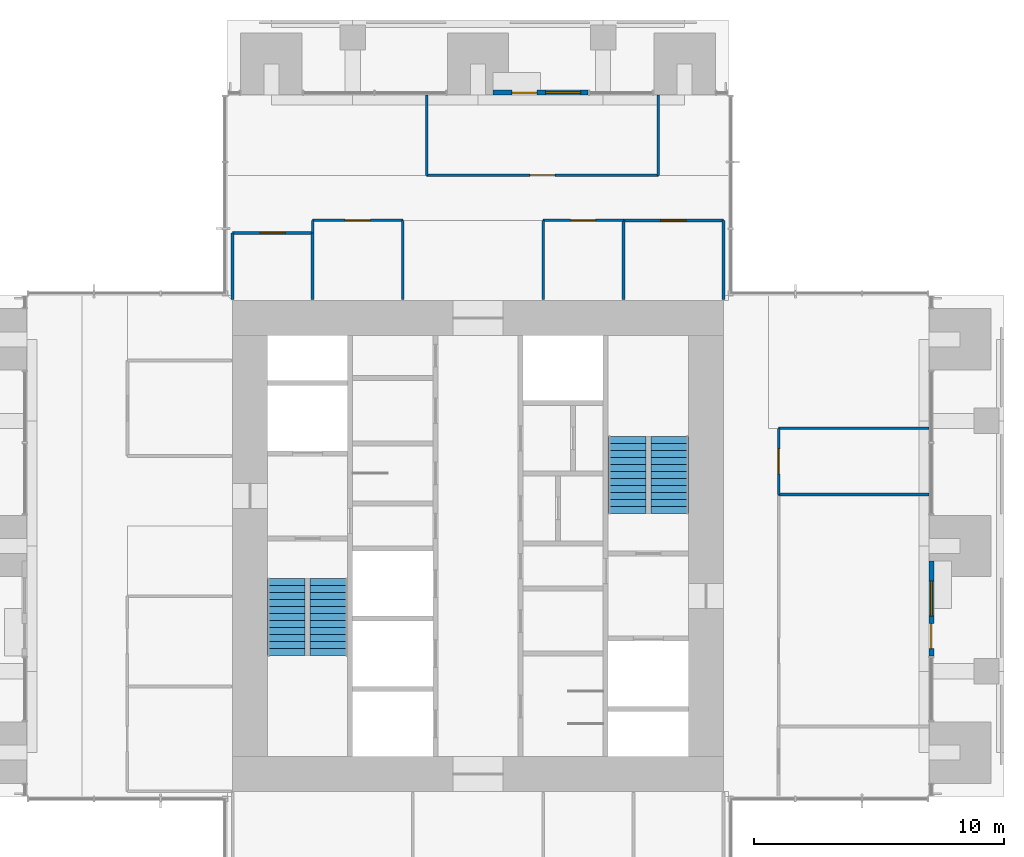
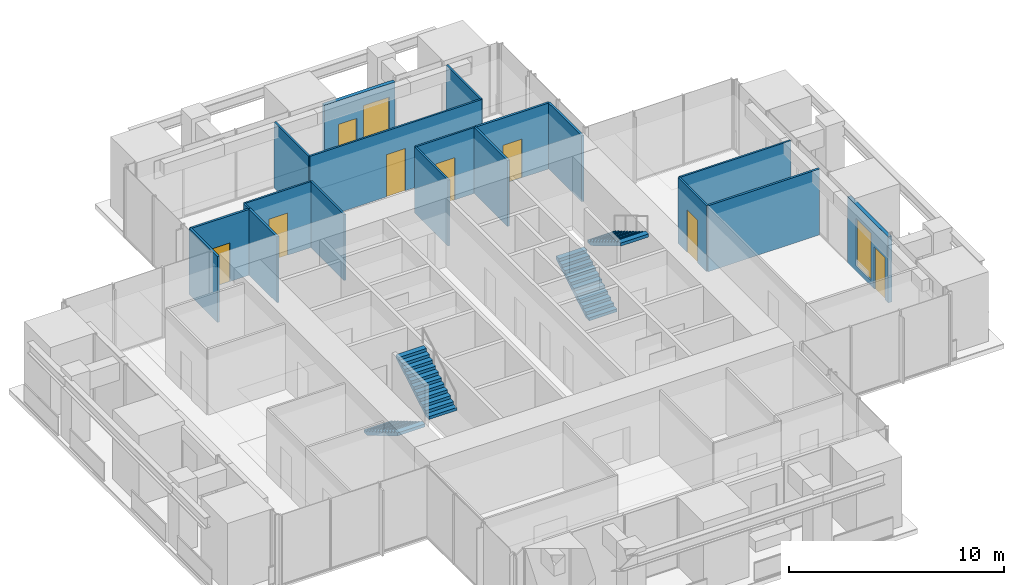
# One storey, part 14 of 17: 19 walls, 8 doors, 4 stair flights, 2 windows, 10 openings, 2 elements without a shape of their own.
"""IFC4 building model written with IfcOpenShell, lengths in metres."""

import ifcopenshell
import ifcopenshell.guid

model = None  # the IFC model being written
_history = None  # IfcOwnerHistory: only IFC2X3 demands one
_inside = {}  # id of a spatial element -> (the spatial element, [elements in it])
_under = {}  # id of a project, library or spatial element -> (it, [spatial elements below it])
_declared = {}  # id of a project -> (the project, [libraries it declares])
_typed = {}  # id of a type object -> (the type object, [elements of that type])
_made_of = {}  # id of a material, layer set ... -> (it, [elements and type objects made of it])


def new_model(schema):
    """Start an empty IFC model of exactly this schema.

    Asked for "IFC4X3", IfcOpenShell would pick the latest addendum, in which some entities
    have other attributes; the version numbers below select the first issue.
    IFC2X3 requires an IfcOwnerHistory on every rooted entity: one is made here for all.
    """
    global model, _history
    if schema == "IFC4X3":
        model = ifcopenshell.file(schema_version=(4, 3, 0, 0))
    else:
        model = ifcopenshell.file(schema=schema)
    _inside.clear()
    _under.clear()
    _declared.clear()
    _typed.clear()
    _made_of.clear()
    _history = None
    if model.schema == "IFC2X3":
        org = make("IfcOrganization", Name="unknown")
        user = make(
            "IfcPersonAndOrganization",
            ThePerson=make("IfcPerson", FamilyName="unknown"),
            TheOrganization=org,
        )
        app = make(
            "IfcApplication",
            ApplicationDeveloper=org,
            Version="unknown",
            ApplicationFullName="unknown",
            ApplicationIdentifier="unknown",
        )
        _history = make(
            "IfcOwnerHistory",
            OwningUser=user,
            OwningApplication=app,
            ChangeAction="ADDED",
            CreationDate=0,
        )
    return model


def make(cls, **values):
    """One entity of the class cls with the attributes given. An attribute that is None is left unset."""
    return model.create_entity(
        cls, **{name: value for name, value in values.items() if value is not None}
    )


def rooted(cls, **values):
    """An entity with a GlobalId (a new one), such as an element, a storey or a relation."""
    return make(cls, GlobalId=ifcopenshell.guid.new(), OwnerHistory=_history, **values)


def si_unit(unit_type, name, prefix=None):
    """IfcSIUnit, for example si_unit("LENGTHUNIT", "METRE", prefix="MILLI")."""
    return make("IfcSIUnit", UnitType=unit_type, Prefix=prefix, Name=name)


def assignment(units):
    """IfcUnitAssignment: the units of a project."""
    return None if units is None else make("IfcUnitAssignment", Units=units)


def point(xyz):
    """IfcCartesianPoint."""
    return None if xyz is None else make("IfcCartesianPoint", Coordinates=xyz)


def direction(xyz):
    """IfcDirection."""
    return None if xyz is None else make("IfcDirection", DirectionRatios=xyz)


def frame(location, z_axis=None, x_axis=None):
    """IfcAxis2Placement3D, a coordinate frame: its origin and axes. An axis left out is left unset."""
    return make(
        "IfcAxis2Placement3D",
        Location=point(location),
        Axis=direction(z_axis),
        RefDirection=direction(x_axis),
    )


def frame_2d(location, x_axis=None):
    """IfcAxis2Placement2D, a coordinate frame in the plane: its origin and x axis."""
    return make(
        "IfcAxis2Placement2D", Location=point(location), RefDirection=direction(x_axis)
    )


def origin():
    """The frame at (0, 0, 0) with its axes left unset."""
    return frame((0.0, 0.0, 0.0))


def place(relative_to, where):
    """IfcLocalPlacement: puts the frame where relative to a parent placement (None: the world)."""
    return make(
        "IfcLocalPlacement", PlacementRelTo=relative_to, RelativePlacement=where
    )


def context(
    kind, dimensions, precision=None, world=None, true_north=None, identifier=None
):
    """IfcGeometricRepresentationContext, for example the 3D "Model" context."""
    return make(
        "IfcGeometricRepresentationContext",
        ContextIdentifier=identifier,
        ContextType=kind,
        CoordinateSpaceDimension=dimensions,
        Precision=precision,
        WorldCoordinateSystem=world,
        TrueNorth=true_north,
    )


def subcontext(parent, identifier, kind, view, scale=None):
    """IfcGeometricRepresentationSubContext, for example "Body" below "Model"."""
    return make(
        "IfcGeometricRepresentationSubContext",
        ContextIdentifier=identifier,
        ContextType=kind,
        ParentContext=parent,
        TargetScale=scale,
        TargetView=view,
    )


def project(units=None, contexts=None):
    """IfcProject with its units and contexts."""
    return rooted(
        "IfcProject",
        Name="project",
        RepresentationContexts=contexts,
        UnitsInContext=assignment(units),
    )


def spatial(cls, under=None, at=None, **own):
    """A site, building, storey or space (cls), placed at a placement, below another one or the project."""
    s = rooted(cls, ObjectPlacement=at, **own)
    if under is not None:
        _under.setdefault(under.id(), (under, []))[1].append(s)
    return s


def polyline(points):
    """IfcPolyline through the points."""
    return make("IfcPolyline", Points=[point(p) for p in points])


def profile(cls, at=None, kind="AREA", **sizes):
    """A parametric profile (cls). Its sizes go by their IFC names, for example OverallWidth=200.0."""
    return make(cls, ProfileType=kind, Position=at, **sizes)


def rectangle(**sizes):
    """IfcRectangleProfileDef."""
    return profile("IfcRectangleProfileDef", **sizes)


def outline(outer, holes=None, kind="AREA"):
    """IfcArbitraryClosedProfileDef: a profile drawn as a closed curve; with holes, ...WithVoids."""
    if holes is None:
        return make("IfcArbitraryClosedProfileDef", ProfileType=kind, OuterCurve=outer)
    return make(
        "IfcArbitraryProfileDefWithVoids",
        ProfileType=kind,
        OuterCurve=outer,
        InnerCurves=holes,
    )


def extrude(swept, where, along, depth):
    """IfcExtrudedAreaSolid: the profile swept, set in the frame where, extruded along a direction by depth."""
    return make(
        "IfcExtrudedAreaSolid",
        SweptArea=swept,
        Position=where,
        ExtrudedDirection=direction(along),
        Depth=depth,
    )


def shape(context_of_items, identifier, shape_type, items):
    """IfcShapeRepresentation: the items that make up one representation, for example the "Body"."""
    return make(
        "IfcShapeRepresentation",
        ContextOfItems=context_of_items,
        RepresentationIdentifier=identifier,
        RepresentationType=shape_type,
        Items=items,
    )


def material(Name=None, Category=None):
    """IfcMaterial."""
    return make("IfcMaterial", Name=Name, Category=Category)


def layer(
    of_material, thickness, ventilated=None, Name=None, Category=None, Priority=None
):
    """IfcMaterialLayer: one layer of a wall or slab, of a material (None: an air gap)."""
    return make(
        "IfcMaterialLayer",
        Material=of_material,
        LayerThickness=thickness,
        IsVentilated=ventilated,
        Name=Name,
        Category=Category,
        Priority=Priority,
    )


def layer_set(layers, Name=None):
    """IfcMaterialLayerSet."""
    return make("IfcMaterialLayerSet", MaterialLayers=layers, LayerSetName=Name)


def made_of(thing, what):
    """Note that an element or type object is made of a material, layer set ...; save() writes the relation."""
    if what is not None:
        _made_of.setdefault(what.id(), (what, []))[1].append(thing)
    return thing


def type_object(cls, material=None, **own):
    """A type object (cls), such as IfcWallType, which elements share."""
    return made_of(rooted(cls, **own), material)


def element(
    cls,
    number,
    at=None,
    inside=None,
    cuts=None,
    type_object=None,
    material=None,
    context=None,
    identifier="Body",
    shape_type=None,
    held_by="IfcProductDefinitionShape",
    body=None,
    shapes=None,
    **own,
):
    """One element of the class cls, such as IfcWall. Its Tag is "e" and its number.

    at: its placement. inside: the storey or other place that contains it. cuts: it is an
    opening in that element (IfcRelVoidsElement). A single representation is given by context,
    identifier, shape_type and body (its items); several are given by shapes. held_by: the class
    of the entity that holds the representations. save() writes the other relations.
    """
    e = rooted(cls, Tag="e%d" % number, ObjectPlacement=at, **own)
    if body is not None:
        shapes = [shape(context, identifier, shape_type, body)]
    if shapes is not None:
        e.Representation = make(held_by, Representations=shapes)
    if inside is not None:
        _inside.setdefault(inside.id(), (inside, []))[1].append(e)
    if cuts is not None:
        rooted(
            "IfcRelVoidsElement", RelatingBuildingElement=cuts, RelatedOpeningElement=e
        )
    if type_object is not None:
        _typed.setdefault(type_object.id(), (type_object, []))[1].append(e)
    return made_of(e, material)


def fill(opening, filler):
    """IfcRelFillsElement: the door or window that sits in an opening."""
    return rooted(
        "IfcRelFillsElement",
        RelatingOpeningElement=opening,
        RelatedBuildingElement=filler,
    )


def aggregate(whole, parts):
    """IfcRelAggregates: a whole, such as a stair, and the parts it consists of."""
    return rooted("IfcRelAggregates", RelatingObject=whole, RelatedObjects=parts)


def save(model, path):
    """Write the relations noted so far, then the file.

    IfcRelAggregates (storeys below a building ...), IfcRelContainedInSpatialStructure (elements
    in a storey), IfcRelDefinesByType, IfcRelAssociatesMaterial and IfcRelDeclares: one each for
    every whole, place, type object, material and project.
    """
    for whole, parts in _under.values():
        aggregate(whole, parts)
    for where, things in _inside.values():
        rooted(
            "IfcRelContainedInSpatialStructure",
            RelatedElements=things,
            RelatingStructure=where,
        )
    for kind, things in _typed.values():
        rooted("IfcRelDefinesByType", RelatedObjects=things, RelatingType=kind)
    for what, things in _made_of.values():
        rooted("IfcRelAssociatesMaterial", RelatedObjects=things, RelatingMaterial=what)
    for by, libraries in _declared.values():
        rooted("IfcRelDeclares", RelatingContext=by, RelatedDefinitions=libraries)
    model.write(path)


model = new_model("IFC4")

# Units and contexts
model_context = context("Model", 3, precision=1e-05, world=origin(), true_north=direction((0.0, 1.0)))
body_context = subcontext(model_context, "Body", "Model", "MODEL_VIEW")
ifc_project = project(units=[si_unit("LENGTHUNIT", "METRE"), si_unit("AREAUNIT", "SQUARE_METRE"), si_unit("VOLUMEUNIT", "CUBIC_METRE"), si_unit("PLANEANGLEUNIT", "RADIAN"), si_unit("MASSUNIT", "GRAM", prefix="KILO")], contexts=[model_context])

# Site, building, storey
site_placement = place(None, origin())
site = spatial("IfcSite", under=ifc_project, at=site_placement, CompositionType="ELEMENT")
building_placement = place(site_placement, origin())
building = spatial("IfcBuilding", under=site, at=building_placement, Name="Svetlomir Tower", CompositionType="ELEMENT")
storey_placement = place(building_placement, frame((0.0, 0.0, 178.5)))
storey = spatial("IfcBuildingStorey", under=building, at=storey_placement, Name="L42", CompositionType="ELEMENT", Elevation=178.5)

# Wall, openings, door, window
ifc_material_1 = material(Name="Bronze anodised aluminium glazed screen", Category="aluminium")
ifc_layer_1 = layer(ifc_material_1, 0.199951171875)
ifc_layer_set_1 = layer_set([ifc_layer_1], Name="Bronze anodised aluminium glazed screen")
wall_type_1 = type_object("IfcWallType", Name="BALCONY SCREEN WALL 200", PredefinedType="USERDEFINED", material=ifc_layer_set_1)
wall_1_placement = place(storey_placement, frame((39.10009765625, 16.60009765625, 0.0), z_axis=(0.0, 0.0, 1.0), x_axis=(0.0, 1.0, 0.0)))
wall_1 = element("IfcWall", 1, at=wall_1_placement, inside=storey, type_object=wall_type_1, Name="Balcony screen E", ObjectType="GLAZED SCREEN", PredefinedType="USERDEFINED", context=body_context, shape_type="SweptSolid", body=[
    extrude(rectangle(XDim=3.7998046875, YDim=0.199951171875, at=frame_2d((1.89990234375, 0.0))), origin(), (0.0, 0.0, 1.0), 3.75),
])
opening_1_placement = place(wall_1_placement, frame((0.300048828125, 0.0, 0.0)))
opening_1 = element("IfcOpeningElement", 2, at=opening_1_placement, cuts=wall_1, Name="Opening BD", PredefinedType="OPENING", context=body_context, shape_type="SweptSolid", body=[
    extrude(rectangle(XDim=1.0, YDim=2.39990234375, at=frame_2d((0.5, 1.199951171875))), frame((0.0, 0.10986328125, 0.0), z_axis=(0.0, -1.0, 0.0), x_axis=(1.0, 0.0, 0.0)), (0.0, 0.0, 1.0), 0.219970703125),
])
opening_2_placement = place(wall_1_placement, frame((1.60009765625, 0.0, 0.300048828125)))
opening_2 = element("IfcOpeningElement", 3, at=opening_2_placement, cuts=wall_1, Name="Opening WS2", PredefinedType="OPENING", context=body_context, shape_type="SweptSolid", body=[
    extrude(rectangle(XDim=1.39990234375, YDim=2.699951171875, at=frame_2d((0.699951171875, 1.35009765625))), frame((0.0, 0.10986328125, 0.0), z_axis=(0.0, -1.0, 0.0), x_axis=(1.0, 0.0, 0.0)), (0.0, 0.0, 1.0), 0.219970703125),
])
ifc_material_2 = material(Name="Bronze anodised aluminium glazed door", Category="aluminium")
door_type_1 = type_object("IfcDoorType", Name="BALCONY DOOR BD 1000x2400", OperationType="SINGLE_SWING_LEFT", PredefinedType="DOOR", material=ifc_material_2)
door_1_placement = place(opening_1_placement, origin())
door_1 = element("IfcDoor", 4, at=door_1_placement, inside=storey, type_object=door_type_1, Name="Balcony screen E door", OperationType="SINGLE_SWING_LEFT", OverallHeight=2.39990234375, OverallWidth=1.0, PredefinedType="DOOR", context=body_context, shape_type="SweptSolid", body=[
    extrude(rectangle(XDim=1.0, YDim=2.39990234375, at=frame_2d((0.5, 1.199951171875))), frame((0.0, 0.02490234375, 0.0), z_axis=(0.0, -1.0, 0.0), x_axis=(1.0, 0.0, 0.0)), (0.0, 0.0, 1.0), 0.050048828125),
])
fill(opening_1, door_1)
ifc_material_3 = material(Name="Bronze anodised aluminium window", Category="aluminium")
window_type = type_object("IfcWindowType", Name="SCREEN WINDOW WS2 1400x2700", PartitioningType="SINGLE_PANEL", PredefinedType="WINDOW", material=ifc_material_3)
window_1_placement = place(opening_2_placement, origin())
window_1 = element("IfcWindow", 5, at=window_1_placement, inside=storey, type_object=window_type, Name="Balcony screen E window 1", OverallHeight=2.699951171875, OverallWidth=1.39990234375, PartitioningType="SINGLE_PANEL", PredefinedType="WINDOW", context=body_context, shape_type="SweptSolid", body=[
    extrude(rectangle(XDim=1.39990234375, YDim=2.699951171875, at=frame_2d((0.699951171875, 1.35009765625))), frame((0.0, 0.030029296875, 0.0), z_axis=(0.0, -1.0, 0.0), x_axis=(1.0, 0.0, 0.0)), (0.0, 0.0, 1.0), 0.06005859375),
])
fill(opening_2, window_1)

wall_2_placement = place(storey_placement, frame((25.39990234375, 39.10009765625, 0.0), z_axis=(0.0, 0.0, 1.0), x_axis=(-1.0, 0.0, 0.0)))
wall_2 = element("IfcWall", 6, at=wall_2_placement, inside=storey, type_object=wall_type_1, Name="Balcony screen N", ObjectType="GLAZED SCREEN", PredefinedType="USERDEFINED", context=body_context, shape_type="SweptSolid", body=[
    extrude(rectangle(XDim=3.7998046875, YDim=0.199951171875, at=frame_2d((1.89990234375, 0.0))), origin(), (0.0, 0.0, 1.0), 3.75),
])
opening_3_placement = place(wall_2_placement, frame((2.050048828125, 0.0, 0.0)))
opening_3 = element("IfcOpeningElement", 7, at=opening_3_placement, cuts=wall_2, Name="Opening BD", PredefinedType="OPENING", context=body_context, shape_type="SweptSolid", body=[
    extrude(rectangle(XDim=1.0, YDim=2.39990234375, at=frame_2d((0.5, 1.199951171875))), frame((0.0, 0.10986328125, 0.0), z_axis=(0.0, -1.0, 0.0), x_axis=(1.0, 0.0, 0.0)), (0.0, 0.0, 1.0), 0.219970703125),
])
opening_4_placement = place(wall_2_placement, frame((0.300048828125, 0.0, 0.300048828125)))
opening_4 = element("IfcOpeningElement", 8, at=opening_4_placement, cuts=wall_2, Name="Opening WS2", PredefinedType="OPENING", context=body_context, shape_type="SweptSolid", body=[
    extrude(rectangle(XDim=1.39990234375, YDim=2.699951171875, at=frame_2d((0.699951171875, 1.35009765625))), frame((0.0, 0.10986328125, 0.0), z_axis=(0.0, -1.0, 0.0), x_axis=(1.0, 0.0, 0.0)), (0.0, 0.0, 1.0), 0.219970703125),
])
door_2_placement = place(opening_3_placement, origin())
door_2 = element("IfcDoor", 9, at=door_2_placement, inside=storey, type_object=door_type_1, Name="Balcony screen N door", OperationType="SINGLE_SWING_LEFT", OverallHeight=2.39990234375, OverallWidth=1.0, PredefinedType="DOOR", context=body_context, shape_type="SweptSolid", body=[
    extrude(rectangle(XDim=1.0, YDim=2.39990234375, at=frame_2d((0.5, 1.199951171875))), frame((0.0, 0.02490234375, 0.0), z_axis=(0.0, -1.0, 0.0), x_axis=(1.0, 0.0, 0.0)), (0.0, 0.0, 1.0), 0.050048828125),
])
fill(opening_3, door_2)
window_2_placement = place(opening_4_placement, origin())
window_2 = element("IfcWindow", 10, at=window_2_placement, inside=storey, type_object=window_type, Name="Balcony screen N window 1", OverallHeight=2.699951171875, OverallWidth=1.39990234375, PartitioningType="SINGLE_PANEL", PredefinedType="WINDOW", context=body_context, shape_type="SweptSolid", body=[
    extrude(rectangle(XDim=1.39990234375, YDim=2.699951171875, at=frame_2d((0.699951171875, 1.35009765625))), frame((0.0, 0.030029296875, 0.0), z_axis=(0.0, -1.0, 0.0), x_axis=(1.0, 0.0, 0.0)), (0.0, 0.0, 1.0), 0.06005859375),
])
fill(opening_4, window_2)

# Wall
ifc_material_4 = material(Name="Framed laminated glass partition", Category="glass")
ifc_layer_2 = layer(ifc_material_4, 0.10009765625)
ifc_layer_set_2 = layer_set([ifc_layer_2], Name="Framed laminated glass partition")
wall_type_2 = type_object("IfcWallType", Name="GLAZED PARTITION 100", PredefinedType="PARTITIONING", material=ifc_layer_set_2)
wall_3_placement = place(storey_placement, frame((14.39990234375, 33.5, 0.0), z_axis=(0.0, 0.0, 1.0), x_axis=(0.0, 1.0, 0.0)))
element("IfcWall", 11, at=wall_3_placement, inside=storey, type_object=wall_type_2, Name="Glazed partition L42", PredefinedType="PARTITIONING", context=body_context, shape_type="SweptSolid", body=[
    extrude(rectangle(XDim=0.5, YDim=0.10009765625, at=frame_2d((0.25, 0.0))), origin(), (0.0, 0.0, 1.0), 3.75),
])

# Wall, opening, door
wall_4_placement = place(storey_placement, frame((14.39990234375, 34.0, 0.0), z_axis=(0.0, 0.0, 1.0), x_axis=(1.0, 0.0, 0.0)))
wall_4 = element("IfcWall", 12, at=wall_4_placement, inside=storey, type_object=wall_type_2, Name="Glazed partition L42", PredefinedType="PARTITIONING", context=body_context, shape_type="SweptSolid", body=[
    extrude(rectangle(XDim=3.60009765625, YDim=0.10009765625, at=frame_2d((1.800048828125, 0.0))), origin(), (0.0, 0.0, 1.0), 3.75),
])
opening_5_placement = place(wall_4_placement, frame((1.300048828125, 0.0, 0.0)))
opening_5 = element("IfcOpeningElement", 13, at=opening_5_placement, cuts=wall_4, Name="Opening DG", PredefinedType="OPENING", context=body_context, shape_type="SweptSolid", body=[
    extrude(rectangle(XDim=1.0, YDim=2.39990234375, at=frame_2d((0.5, 1.199951171875))), frame((0.0, 0.06005859375, 0.0), z_axis=(0.0, -1.0, 0.0), x_axis=(1.0, 0.0, 0.0)), (0.0, 0.0, 1.0), 0.1201171875),
])
ifc_material_5 = material(Name="Framed laminated glass door", Category="glass")
door_type_2 = type_object("IfcDoorType", Name="GLAZED DOOR DG 1000x2400", OperationType="SINGLE_SWING_LEFT", PredefinedType="DOOR", material=ifc_material_5)
door_3_placement = place(opening_5_placement, origin())
door_3 = element("IfcDoor", 14, at=door_3_placement, inside=storey, type_object=door_type_2, Name="Meeting room, 6 seats door L42", OperationType="SINGLE_SWING_LEFT", OverallHeight=2.39990234375, OverallWidth=1.0, PredefinedType="DOOR", context=body_context, shape_type="SweptSolid", body=[
    extrude(rectangle(XDim=1.0, YDim=2.39990234375, at=frame_2d((0.5, 1.199951171875))), frame((0.0, 0.02490234375, 0.0), z_axis=(0.0, -1.0, 0.0), x_axis=(1.0, 0.0, 0.0)), (0.0, 0.0, 1.0), 0.050048828125),
])
fill(opening_5, door_3)

# Walls
wall_5_placement = place(storey_placement, frame((18.0, 30.85009765625, 0.0), z_axis=(0.0, 0.0, 1.0), x_axis=(0.0, 1.0, 0.0)))
element("IfcWall", 15, at=wall_5_placement, inside=storey, type_object=wall_type_2, Name="Glazed partition L42", PredefinedType="PARTITIONING", context=body_context, shape_type="SweptSolid", body=[
    extrude(rectangle(XDim=3.14990234375, YDim=0.10009765625, at=frame_2d((1.574951171875, 0.0))), origin(), (0.0, 0.0, 1.0), 3.75),
])
wall_6_placement = place(storey_placement, frame((18.949951171875, 35.800048828125, 0.0), z_axis=(0.0, 0.0, 1.0), x_axis=(0.0, 1.0, 0.0)))
element("IfcWall", 16, at=wall_6_placement, inside=storey, type_object=wall_type_2, Name="Glazed partition L42", PredefinedType="PARTITIONING", context=body_context, shape_type="SweptSolid", body=[
    extrude(rectangle(XDim=3.199951171875, YDim=0.10009765625, at=frame_2d((1.60009765625, 0.0))), origin(), (0.0, 0.0, 1.0), 3.75),
])

# Wall, opening, door
wall_7_placement = place(storey_placement, frame((18.949951171875, 35.800048828125, 0.0), z_axis=(0.0, 0.0, 1.0), x_axis=(1.0, 0.0, 0.0)))
wall_7 = element("IfcWall", 17, at=wall_7_placement, inside=storey, type_object=wall_type_2, Name="Glazed partition L42", PredefinedType="PARTITIONING", context=body_context, shape_type="SweptSolid", body=[
    extrude(rectangle(XDim=9.25, YDim=0.10009765625, at=frame_2d((4.625, 0.0))), origin(), (0.0, 0.0, 1.0), 3.75),
])
opening_6_placement = place(wall_7_placement, frame((4.125, 0.0, 0.0)))
opening_6 = element("IfcOpeningElement", 18, at=opening_6_placement, cuts=wall_7, Name="Opening DG", PredefinedType="OPENING", context=body_context, shape_type="SweptSolid", body=[
    extrude(rectangle(XDim=1.0, YDim=2.39990234375, at=frame_2d((0.5, 1.199951171875))), frame((0.0, 0.06005859375, 0.0), z_axis=(0.0, -1.0, 0.0), x_axis=(1.0, 0.0, 0.0)), (0.0, 0.0, 1.0), 0.1201171875),
])
door_4_placement = place(opening_6_placement, origin())
door_4 = element("IfcDoor", 19, at=door_4_placement, inside=storey, type_object=door_type_2, Name="Loggia break-out and kitchenette door L42", OperationType="SINGLE_SWING_RIGHT", OverallHeight=2.39990234375, OverallWidth=1.0, PredefinedType="DOOR", context=body_context, shape_type="SweptSolid", body=[
    extrude(rectangle(XDim=1.0, YDim=2.39990234375, at=frame_2d((0.5, 1.199951171875))), frame((0.0, 0.02490234375, 0.0), z_axis=(0.0, -1.0, 0.0), x_axis=(1.0, 0.0, 0.0)), (0.0, 0.0, 1.0), 0.050048828125),
])
fill(opening_6, door_4)

# Wall
wall_8_placement = place(storey_placement, frame((23.60009765625, 30.85009765625, 0.0), z_axis=(0.0, 0.0, 1.0), x_axis=(0.0, 1.0, 0.0)))
element("IfcWall", 20, at=wall_8_placement, inside=storey, type_object=wall_type_2, Name="Glazed partition L42", PredefinedType="PARTITIONING", context=body_context, shape_type="SweptSolid", body=[
    extrude(rectangle(XDim=3.14990234375, YDim=0.10009765625, at=frame_2d((1.574951171875, 0.0))), origin(), (0.0, 0.0, 1.0), 3.75),
])

# Wall, opening, door
wall_9_placement = place(storey_placement, frame((23.60009765625, 34.0, 0.0), z_axis=(0.0, 0.0, 1.0), x_axis=(1.0, 0.0, 0.0)))
wall_9 = element("IfcWall", 21, at=wall_9_placement, inside=storey, type_object=wall_type_2, Name="Glazed partition L42", PredefinedType="PARTITIONING", context=body_context, shape_type="SweptSolid", body=[
    extrude(rectangle(XDim=3.199951171875, YDim=0.10009765625, at=frame_2d((1.60009765625, 0.0))), origin(), (0.0, 0.0, 1.0), 3.75),
])
opening_7_placement = place(wall_9_placement, frame((1.10009765625, 0.0, 0.0)))
opening_7 = element("IfcOpeningElement", 22, at=opening_7_placement, cuts=wall_9, Name="Opening DG", PredefinedType="OPENING", context=body_context, shape_type="SweptSolid", body=[
    extrude(rectangle(XDim=1.0, YDim=2.39990234375, at=frame_2d((0.5, 1.199951171875))), frame((0.0, 0.06005859375, 0.0), z_axis=(0.0, -1.0, 0.0), x_axis=(1.0, 0.0, 0.0)), (0.0, 0.0, 1.0), 0.1201171875),
])
door_5_placement = place(opening_7_placement, origin())
door_5 = element("IfcDoor", 23, at=door_5_placement, inside=storey, type_object=door_type_2, Name="Phone room door L42", OperationType="SINGLE_SWING_RIGHT", OverallHeight=2.39990234375, OverallWidth=1.0, PredefinedType="DOOR", context=body_context, shape_type="SweptSolid", body=[
    extrude(rectangle(XDim=1.0, YDim=2.39990234375, at=frame_2d((0.5, 1.199951171875))), frame((0.0, 0.02490234375, 0.0), z_axis=(0.0, -1.0, 0.0), x_axis=(1.0, 0.0, 0.0)), (0.0, 0.0, 1.0), 0.050048828125),
])
fill(opening_7, door_5)

# Wall
wall_10_placement = place(storey_placement, frame((28.199951171875, 35.800048828125, 0.0), z_axis=(0.0, 0.0, 1.0), x_axis=(0.0, 1.0, 0.0)))
element("IfcWall", 24, at=wall_10_placement, inside=storey, type_object=wall_type_2, Name="Glazed partition L42", PredefinedType="PARTITIONING", context=body_context, shape_type="SweptSolid", body=[
    extrude(rectangle(XDim=3.199951171875, YDim=0.10009765625, at=frame_2d((1.60009765625, 0.0))), origin(), (0.0, 0.0, 1.0), 3.75),
])

# Wall, opening, door
wall_11_placement = place(storey_placement, frame((33.0, 23.050048828125, 0.0), z_axis=(0.0, 0.0, 1.0), x_axis=(0.0, 1.0, 0.0)))
wall_11 = element("IfcWall", 25, at=wall_11_placement, inside=storey, type_object=wall_type_2, Name="Glazed partition L42", PredefinedType="PARTITIONING", context=body_context, shape_type="SweptSolid", body=[
    extrude(rectangle(XDim=2.64990234375, YDim=0.10009765625, at=frame_2d((1.324951171875, 0.0))), origin(), (0.0, 0.0, 1.0), 3.75),
])
opening_8_placement = place(wall_11_placement, frame((0.824951171875, 0.0, 0.0)))
opening_8 = element("IfcOpeningElement", 26, at=opening_8_placement, cuts=wall_11, Name="Opening DG", PredefinedType="OPENING", context=body_context, shape_type="SweptSolid", body=[
    extrude(rectangle(XDim=1.0, YDim=2.39990234375, at=frame_2d((0.5, 1.199951171875))), frame((0.0, 0.06005859375, 0.0), z_axis=(0.0, -1.0, 0.0), x_axis=(1.0, 0.0, 0.0)), (0.0, 0.0, 1.0), 0.1201171875),
])
door_6_placement = place(opening_8_placement, origin())
door_6 = element("IfcDoor", 27, at=door_6_placement, inside=storey, type_object=door_type_2, Name="Meeting room, 8 seats door L42", OperationType="SINGLE_SWING_LEFT", OverallHeight=2.39990234375, OverallWidth=1.0, PredefinedType="DOOR", context=body_context, shape_type="SweptSolid", body=[
    extrude(rectangle(XDim=1.0, YDim=2.39990234375, at=frame_2d((0.5, 1.199951171875))), frame((0.0, 0.02490234375, 0.0), z_axis=(0.0, -1.0, 0.0), x_axis=(1.0, 0.0, 0.0)), (0.0, 0.0, 1.0), 0.050048828125),
])
fill(opening_8, door_6)

# Walls
wall_12_placement = place(storey_placement, frame((33.0, 25.699951171875, 0.0), z_axis=(0.0, 0.0, 1.0), x_axis=(1.0, 0.0, 0.0)))
element("IfcWall", 28, at=wall_12_placement, inside=storey, type_object=wall_type_2, Name="Glazed partition L42", PredefinedType="PARTITIONING", context=body_context, shape_type="SweptSolid", body=[
    extrude(rectangle(XDim=6.0, YDim=0.10009765625, at=frame_2d((3.0, 0.0))), origin(), (0.0, 0.0, 1.0), 3.75),
])
ifc_material_6 = material(Name="Gypsum board on steel studs", Category="steel")
ifc_layer_3 = layer(ifc_material_6, 0.1201171875)
ifc_layer_set_3 = layer_set([ifc_layer_3], Name="Gypsum board on steel studs")
wall_type_3 = type_object("IfcWallType", Name="PARTITION 120", PredefinedType="PARTITIONING", material=ifc_layer_set_3)
wall_13_placement = place(storey_placement, frame((11.199951171875, 30.85009765625, 0.0), z_axis=(0.0, 0.0, 1.0), x_axis=(0.0, 1.0, 0.0)))
element("IfcWall", 29, at=wall_13_placement, inside=storey, type_object=wall_type_3, Name="Partition L42", PredefinedType="PARTITIONING", context=body_context, shape_type="SweptSolid", body=[
    extrude(rectangle(XDim=2.64990234375, YDim=0.1201171875, at=frame_2d((1.324951171875, 0.0))), origin(), (0.0, 0.0, 1.0), 3.75),
])

# Wall, opening, door
wall_14_placement = place(storey_placement, frame((11.199951171875, 33.5, 0.0), z_axis=(0.0, 0.0, 1.0), x_axis=(1.0, 0.0, 0.0)))
wall_14 = element("IfcWall", 30, at=wall_14_placement, inside=storey, type_object=wall_type_3, Name="Partition L42", PredefinedType="PARTITIONING", context=body_context, shape_type="SweptSolid", body=[
    extrude(rectangle(XDim=3.199951171875, YDim=0.1201171875, at=frame_2d((1.60009765625, 0.0))), origin(), (0.0, 0.0, 1.0), 3.75),
])
opening_9_placement = place(wall_14_placement, frame((1.10009765625, 0.0, 0.0)))
opening_9 = element("IfcOpeningElement", 31, at=opening_9_placement, cuts=wall_14, Name="Opening DR", PredefinedType="OPENING", context=body_context, shape_type="SweptSolid", body=[
    extrude(rectangle(XDim=1.0, YDim=2.199951171875, at=frame_2d((0.5, 1.10009765625))), frame((0.0, 0.070068359375, 0.0), z_axis=(0.0, -1.0, 0.0), x_axis=(1.0, 0.0, 0.0)), (0.0, 0.0, 1.0), 0.14013671875),
])
ifc_material_7 = material(Name="Timber door, glazed side light", Category="wood")
door_type_3 = type_object("IfcDoorType", Name="DOOR DR 1000x2200", OperationType="SINGLE_SWING_LEFT", PredefinedType="DOOR", material=ifc_material_7)
door_7_placement = place(opening_9_placement, origin())
door_7 = element("IfcDoor", 32, at=door_7_placement, inside=storey, type_object=door_type_3, Name="Planting lab store door L42", OperationType="SINGLE_SWING_RIGHT", OverallHeight=2.199951171875, OverallWidth=1.0, PredefinedType="DOOR", context=body_context, shape_type="SweptSolid", body=[
    extrude(rectangle(XDim=1.0, YDim=2.199951171875, at=frame_2d((0.5, 1.10009765625))), frame((0.0, 0.02490234375, 0.0), z_axis=(0.0, -1.0, 0.0), x_axis=(1.0, 0.0, 0.0)), (0.0, 0.0, 1.0), 0.050048828125),
])
fill(opening_9, door_7)

# Walls
wall_15_placement = place(storey_placement, frame((14.39990234375, 30.85009765625, 0.0), z_axis=(0.0, 0.0, 1.0), x_axis=(0.0, 1.0, 0.0)))
element("IfcWall", 33, at=wall_15_placement, inside=storey, type_object=wall_type_3, Name="Partition L42", PredefinedType="PARTITIONING", context=body_context, shape_type="SweptSolid", body=[
    extrude(rectangle(XDim=2.64990234375, YDim=0.1201171875, at=frame_2d((1.324951171875, 0.0))), origin(), (0.0, 0.0, 1.0), 3.75),
])
wall_16_placement = place(storey_placement, frame((26.800048828125, 30.85009765625, 0.0), z_axis=(0.0, 0.0, 1.0), x_axis=(0.0, 1.0, 0.0)))
element("IfcWall", 34, at=wall_16_placement, inside=storey, type_object=wall_type_3, Name="Partition L42", PredefinedType="PARTITIONING", context=body_context, shape_type="SweptSolid", body=[
    extrude(rectangle(XDim=3.14990234375, YDim=0.1201171875, at=frame_2d((1.574951171875, 0.0))), origin(), (0.0, 0.0, 1.0), 3.75),
])

# Wall, opening, door
wall_17_placement = place(storey_placement, frame((26.800048828125, 34.0, 0.0), z_axis=(0.0, 0.0, 1.0), x_axis=(1.0, 0.0, 0.0)))
wall_17 = element("IfcWall", 35, at=wall_17_placement, inside=storey, type_object=wall_type_3, Name="Partition L42", PredefinedType="PARTITIONING", context=body_context, shape_type="SweptSolid", body=[
    extrude(rectangle(XDim=4.0, YDim=0.1201171875, at=frame_2d((2.0, 0.0))), origin(), (0.0, 0.0, 1.0), 3.75),
])
opening_10_placement = place(wall_17_placement, frame((1.5, 0.0, 0.0)))
opening_10 = element("IfcOpeningElement", 36, at=opening_10_placement, cuts=wall_17, Name="Opening DR", PredefinedType="OPENING", context=body_context, shape_type="SweptSolid", body=[
    extrude(rectangle(XDim=1.0, YDim=2.199951171875, at=frame_2d((0.5, 1.10009765625))), frame((0.0, 0.070068359375, 0.0), z_axis=(0.0, -1.0, 0.0), x_axis=(1.0, 0.0, 0.0)), (0.0, 0.0, 1.0), 0.14013671875),
])
door_8_placement = place(opening_10_placement, origin())
door_8 = element("IfcDoor", 37, at=door_8_placement, inside=storey, type_object=door_type_3, Name="Team leader office door L42", OperationType="SINGLE_SWING_LEFT", OverallHeight=2.199951171875, OverallWidth=1.0, PredefinedType="DOOR", context=body_context, shape_type="SweptSolid", body=[
    extrude(rectangle(XDim=1.0, YDim=2.199951171875, at=frame_2d((0.5, 1.10009765625))), frame((0.0, 0.02490234375, 0.0), z_axis=(0.0, -1.0, 0.0), x_axis=(1.0, 0.0, 0.0)), (0.0, 0.0, 1.0), 0.050048828125),
])
fill(opening_10, door_8)

# Walls
wall_18_placement = place(storey_placement, frame((30.800048828125, 30.85009765625, 0.0), z_axis=(0.0, 0.0, 1.0), x_axis=(0.0, 1.0, 0.0)))
element("IfcWall", 38, at=wall_18_placement, inside=storey, type_object=wall_type_3, Name="Partition L42", PredefinedType="PARTITIONING", context=body_context, shape_type="SweptSolid", body=[
    extrude(rectangle(XDim=3.14990234375, YDim=0.1201171875, at=frame_2d((1.574951171875, 0.0))), origin(), (0.0, 0.0, 1.0), 3.75),
])
wall_19_placement = place(storey_placement, frame((33.0, 23.050048828125, 0.0), z_axis=(0.0, 0.0, 1.0), x_axis=(1.0, 0.0, 0.0)))
element("IfcWall", 39, at=wall_19_placement, inside=storey, type_object=wall_type_3, Name="Partition L42", PredefinedType="PARTITIONING", context=body_context, shape_type="SweptSolid", body=[
    extrude(rectangle(XDim=6.0, YDim=0.1201171875, at=frame_2d((3.0, 0.0))), origin(), (0.0, 0.0, 1.0), 3.75),
])

# Stair, stair flights
ifc_material_8 = material(Name="Concrete C60/75", Category="concrete")
stair_type = type_object("IfcStairType", Name="EXIT STAIR 3200 RISE 4000", PredefinedType="HALF_TURN_STAIR", material=ifc_material_8)
stair_1_placement = place(storey_placement, origin())
stair_1 = element("IfcStair", 40, at=stair_1_placement, inside=storey, type_object=stair_type, Name="Stair S1 L42 to L43", PredefinedType="HALF_TURN_STAIR")
ifc_material_9 = material(Name="Concrete C60/75", Category="concrete")
stair_flight_type = type_object("IfcStairFlightType", Name="STAIR FLIGHT 1500 OF 12 RISERS", PredefinedType="STRAIGHT", material=ifc_material_9)
stair_flight_1_placement = place(storey_placement, frame((13.35009765625, 19.699951171875, 0.0), z_axis=(0.0, 0.0, 1.0), x_axis=(0.0, -1.0, 0.0)))
stair_flight_1 = element("IfcStairFlight", 41, at=stair_flight_1_placement, type_object=stair_flight_type, Name="S1 flight 1", NumberOfRisers=12, NumberOfTreads=11, PredefinedType="STRAIGHT", RiserHeight=0.166666667, TreadLength=0.28, context=body_context, shape_type="SweptSolid", body=[
    extrude(outline(polyline([(0.0, 0.0), (0.0, 0.166748046875), (0.280029296875, 0.166748046875), (0.280029296875, 0.333251953125), (0.56005859375, 0.333251953125), (0.56005859375, 0.5), (0.840087890625, 0.5), (0.840087890625, 0.666748046875), (1.1201171875, 0.666748046875), (1.1201171875, 0.833251953125), (1.39990234375, 0.833251953125), (1.39990234375, 1.0), (1.679931640625, 1.0), (1.679931640625, 1.166748046875), (1.9599609375, 1.166748046875), (1.9599609375, 1.333251953125), (2.239990234375, 1.333251953125), (2.239990234375, 1.5), (2.52001953125, 1.5), (2.52001953125, 1.666748046875), (2.800048828125, 1.666748046875), (2.800048828125, 1.833251953125), (3.080078125, 1.833251953125), (3.080078125, 2.0), (3.080078125, 1.658935546875), (0.29296875, 0.0), (0.0, 0.0)])), frame((0.0, 0.75, 0.0), z_axis=(0.0, -1.0, 0.0), x_axis=(1.0, 0.0, 0.0)), (0.0, 0.0, 1.0), 1.5),
])
stair_flight_2_placement = place(storey_placement, frame((15.050048828125, 16.6201171875, 2.0), z_axis=(0.0, 0.0, 1.0), x_axis=(0.0, 1.0, 0.0)))
stair_flight_2 = element("IfcStairFlight", 42, at=stair_flight_2_placement, type_object=stair_flight_type, Name="S1 flight 2", NumberOfRisers=12, NumberOfTreads=11, PredefinedType="STRAIGHT", RiserHeight=0.166666667, TreadLength=0.28, context=body_context, shape_type="SweptSolid", body=[
    extrude(outline(polyline([(0.0, 0.0), (0.0, 0.166748046875), (0.280029296875, 0.166748046875), (0.280029296875, 0.333251953125), (0.56005859375, 0.333251953125), (0.56005859375, 0.5), (0.840087890625, 0.5), (0.840087890625, 0.666748046875), (1.1201171875, 0.666748046875), (1.1201171875, 0.833251953125), (1.39990234375, 0.833251953125), (1.39990234375, 1.0), (1.679931640625, 1.0), (1.679931640625, 1.166748046875), (1.9599609375, 1.166748046875), (1.9599609375, 1.333251953125), (2.239990234375, 1.333251953125), (2.239990234375, 1.5), (2.52001953125, 1.5), (2.52001953125, 1.666748046875), (2.800048828125, 1.666748046875), (2.800048828125, 1.833251953125), (3.080078125, 1.833251953125), (3.080078125, 2.0), (3.080078125, 1.658935546875), (0.29296875, 0.0), (0.0, 0.0)])), frame((0.0, 0.75, 0.0), z_axis=(0.0, -1.0, 0.0), x_axis=(1.0, 0.0, 0.0)), (0.0, 0.0, 1.0), 1.5),
])
aggregate(stair_1, [stair_flight_1, stair_flight_2])

stair_2_placement = place(storey_placement, origin())
stair_2 = element("IfcStair", 43, at=stair_2_placement, inside=storey, type_object=stair_type, Name="Stair S2 L42 to L43", PredefinedType="HALF_TURN_STAIR")
stair_flight_3_placement = place(storey_placement, frame((26.949951171875, 22.300048828125, 0.0), z_axis=(0.0, 0.0, 1.0), x_axis=(0.0, 1.0, 0.0)))
stair_flight_3 = element("IfcStairFlight", 44, at=stair_flight_3_placement, type_object=stair_flight_type, Name="S2 flight 1", NumberOfRisers=12, NumberOfTreads=11, PredefinedType="STRAIGHT", RiserHeight=0.166666667, TreadLength=0.28, context=body_context, shape_type="SweptSolid", body=[
    extrude(outline(polyline([(0.0, 0.0), (0.0, 0.166748046875), (0.280029296875, 0.166748046875), (0.280029296875, 0.333251953125), (0.56005859375, 0.333251953125), (0.56005859375, 0.5), (0.840087890625, 0.5), (0.840087890625, 0.666748046875), (1.1201171875, 0.666748046875), (1.1201171875, 0.833251953125), (1.39990234375, 0.833251953125), (1.39990234375, 1.0), (1.679931640625, 1.0), (1.679931640625, 1.166748046875), (1.9599609375, 1.166748046875), (1.9599609375, 1.333251953125), (2.239990234375, 1.333251953125), (2.239990234375, 1.5), (2.52001953125, 1.5), (2.52001953125, 1.666748046875), (2.800048828125, 1.666748046875), (2.800048828125, 1.833251953125), (3.080078125, 1.833251953125), (3.080078125, 2.0), (3.080078125, 1.658935546875), (0.29296875, 0.0), (0.0, 0.0)])), frame((0.0, 0.75, 0.0), z_axis=(0.0, -1.0, 0.0), x_axis=(1.0, 0.0, 0.0)), (0.0, 0.0, 1.0), 1.5),
])
stair_flight_4_placement = place(storey_placement, frame((28.64990234375, 25.3798828125, 2.0), z_axis=(0.0, 0.0, 1.0), x_axis=(0.0, -1.0, 0.0)))
stair_flight_4 = element("IfcStairFlight", 45, at=stair_flight_4_placement, type_object=stair_flight_type, Name="S2 flight 2", NumberOfRisers=12, NumberOfTreads=11, PredefinedType="STRAIGHT", RiserHeight=0.166666667, TreadLength=0.28, context=body_context, shape_type="SweptSolid", body=[
    extrude(outline(polyline([(0.0, 0.0), (0.0, 0.166748046875), (0.280029296875, 0.166748046875), (0.280029296875, 0.333251953125), (0.56005859375, 0.333251953125), (0.56005859375, 0.5), (0.840087890625, 0.5), (0.840087890625, 0.666748046875), (1.1201171875, 0.666748046875), (1.1201171875, 0.833251953125), (1.39990234375, 0.833251953125), (1.39990234375, 1.0), (1.679931640625, 1.0), (1.679931640625, 1.166748046875), (1.9599609375, 1.166748046875), (1.9599609375, 1.333251953125), (2.239990234375, 1.333251953125), (2.239990234375, 1.5), (2.52001953125, 1.5), (2.52001953125, 1.666748046875), (2.800048828125, 1.666748046875), (2.800048828125, 1.833251953125), (3.080078125, 1.833251953125), (3.080078125, 2.0), (3.080078125, 1.658935546875), (0.29296875, 0.0), (0.0, 0.0)])), frame((0.0, 0.75, 0.0), z_axis=(0.0, -1.0, 0.0), x_axis=(1.0, 0.0, 0.0)), (0.0, 0.0, 1.0), 1.5),
])
aggregate(stair_2, [stair_flight_3, stair_flight_4])

save(model, "model.ifc")
